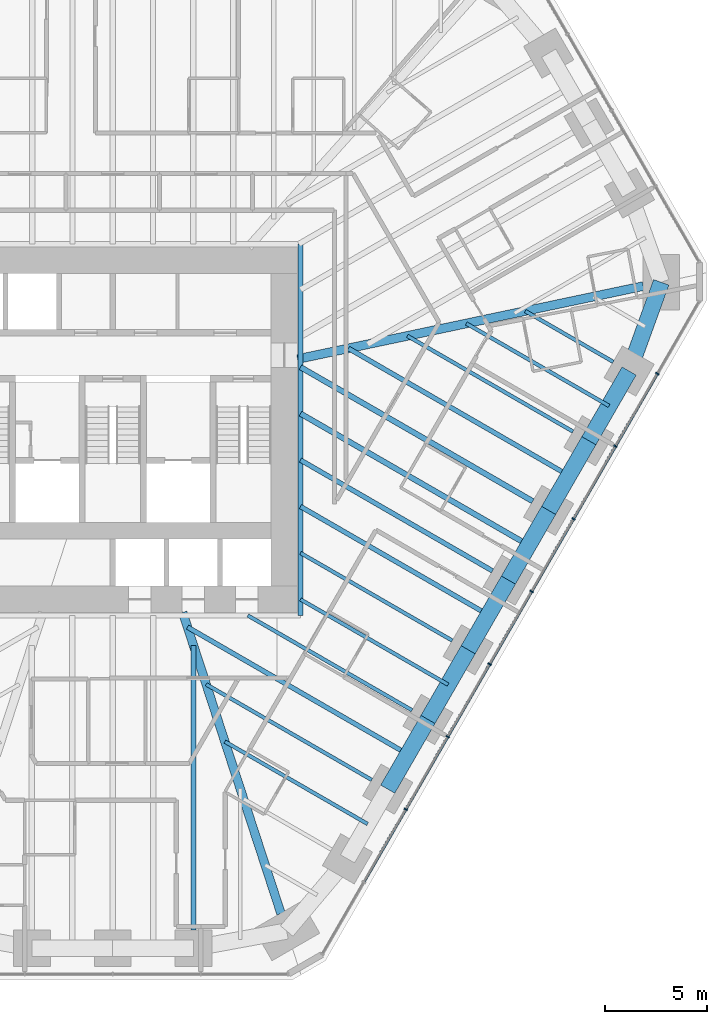
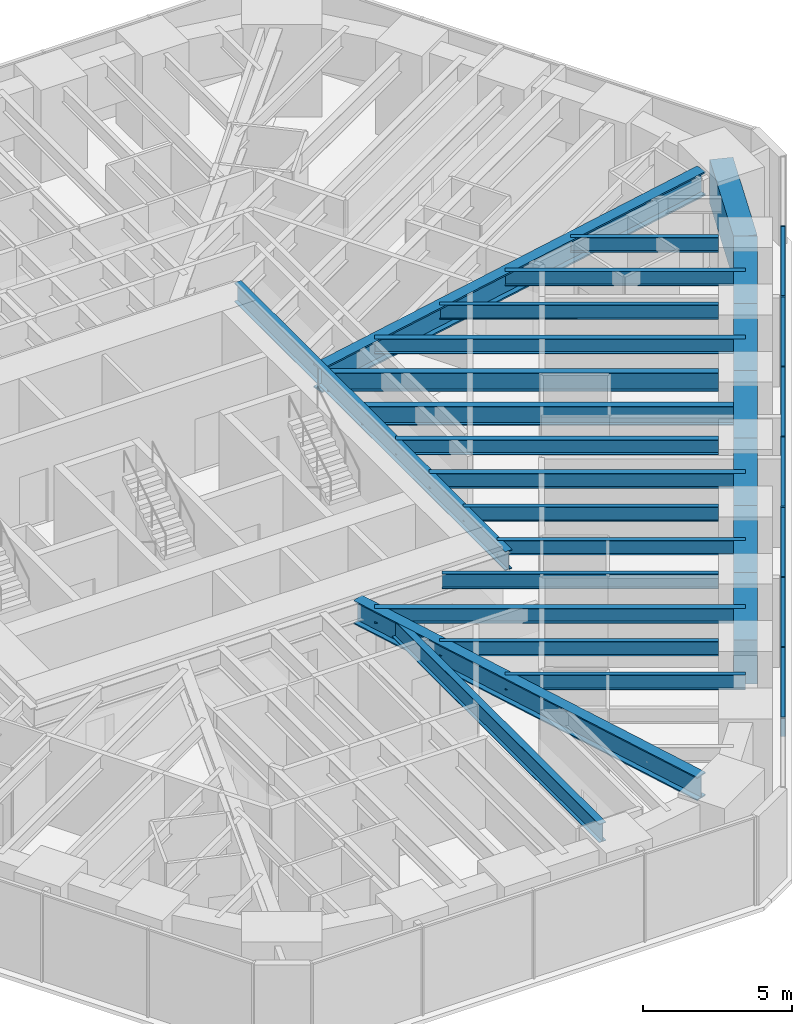
# One storey, part 5 of 17: 25 beams, 14 members, 1 element without a shape of its own.
"""IFC4 building model written with IfcOpenShell, lengths in metres."""

from ifc_helpers import new_model, si_unit, direction, frame, origin, origin_2d, place, context, subcontext, project, spatial, rectangle, i_section, extrude, material, material_profile, profile_set, type_object, element, aggregate, save


model = new_model("IFC4")

# Units and contexts
model_context = context("Model", 3, precision=1e-05, world=origin(), true_north=direction((0.0, 1.0)))
body_context = subcontext(model_context, "Body", "Model", "MODEL_VIEW")
ifc_project = project(units=[si_unit("LENGTHUNIT", "METRE"), si_unit("AREAUNIT", "SQUARE_METRE"), si_unit("VOLUMEUNIT", "CUBIC_METRE"), si_unit("PLANEANGLEUNIT", "RADIAN"), si_unit("MASSUNIT", "GRAM", prefix="KILO")], contexts=[model_context])

# Site, building, storey
site_placement = place(None, origin())
site = spatial("IfcSite", under=ifc_project, at=site_placement, CompositionType="ELEMENT")
building_placement = place(site_placement, origin())
building = spatial("IfcBuilding", under=site, at=building_placement, Name="Sandreach Pilgrim Tower", CompositionType="ELEMENT")
storey_placement = place(building_placement, frame((0.0, 0.0, 127.199951171875)))
storey = spatial("IfcBuildingStorey", under=building, at=storey_placement, Name="L31", CompositionType="ELEMENT", Elevation=127.199951171875)

# Curtain wall, members
ifc_material_1 = material(Name="Aluminium framed curtain wall", Category="aluminium")
curtain_wall_type = type_object("IfcCurtainWallType", Name="Hotel tower curtain wall", PredefinedType="NOTDEFINED", material=ifc_material_1)
curtain_wall_placement = place(storey_placement, origin())
curtain_wall = element("IfcCurtainWall", 1, at=curtain_wall_placement, inside=storey, type_object=curtain_wall_type, Name="CW-2 L31 SE", PredefinedType="NOTDEFINED")
ifc_material_2 = material(Name="Aluminium extrusion", Category="aluminium")
ifc_material_profile_1 = material_profile(ifc_material_2, rectangle(XDim=0.06494140625, YDim=0.179931640625, at=origin_2d()), Name="CW-2M 65X180")
ifc_profile_set_1 = profile_set([ifc_material_profile_1], Name="Aluminium extrusion")
member_type_1 = type_object("IfcMemberType", Name="CW-2 mullion", PredefinedType="MULLION", material=ifc_profile_set_1)
member_1_placement = place(storey_placement, frame((26.66748046875, 1.20166015625, 0.0), z_axis=(0.0, 0.0, 1.0), x_axis=(-0.5, -0.866025403784, 0.0)))
member_1 = element("IfcMember", 2, at=member_1_placement, type_object=member_type_1, Name="CW-2 mullion 2", PredefinedType="MULLION", context=body_context, shape_type="SweptSolid", body=[
    extrude(rectangle(XDim=0.06494140625, YDim=0.179931640625, at=origin_2d()), origin(), (0.0, 0.0, 1.0), 3.64013671875),
])
member_2_placement = place(storey_placement, frame((24.614013671875, -2.35498046875, 0.0), z_axis=(0.0, 0.0, 1.0), x_axis=(-0.5, -0.866025403784, 0.0)))
member_2 = element("IfcMember", 3, at=member_2_placement, type_object=member_type_1, Name="CW-2 mullion 3", PredefinedType="MULLION", context=body_context, shape_type="SweptSolid", body=[
    extrude(rectangle(XDim=0.06494140625, YDim=0.179931640625, at=origin_2d()), origin(), (0.0, 0.0, 1.0), 3.64013671875),
])
member_3_placement = place(storey_placement, frame((22.560302734375, -5.911865234375, 0.0), z_axis=(0.0, 0.0, 1.0), x_axis=(-0.5, -0.866025403784, 0.0)))
member_3 = element("IfcMember", 4, at=member_3_placement, type_object=member_type_1, Name="CW-2 mullion 4", PredefinedType="MULLION", context=body_context, shape_type="SweptSolid", body=[
    extrude(rectangle(XDim=0.06494140625, YDim=0.179931640625, at=origin_2d()), origin(), (0.0, 0.0, 1.0), 3.64013671875),
])
member_4_placement = place(storey_placement, frame((20.5068359375, -9.468505859375, 0.0), z_axis=(0.0, 0.0, 1.0), x_axis=(-0.5, -0.866025403784, 0.0)))
member_4 = element("IfcMember", 5, at=member_4_placement, type_object=member_type_1, Name="CW-2 mullion 5", PredefinedType="MULLION", context=body_context, shape_type="SweptSolid", body=[
    extrude(rectangle(XDim=0.06494140625, YDim=0.179931640625, at=origin_2d()), origin(), (0.0, 0.0, 1.0), 3.64013671875),
])
member_5_placement = place(storey_placement, frame((18.453369140625, -13.025146484375, 0.0), z_axis=(0.0, 0.0, 1.0), x_axis=(-0.5, -0.866025403784, 0.0)))
member_5 = element("IfcMember", 6, at=member_5_placement, type_object=member_type_1, Name="CW-2 mullion 6", PredefinedType="MULLION", context=body_context, shape_type="SweptSolid", body=[
    extrude(rectangle(XDim=0.06494140625, YDim=0.179931640625, at=origin_2d()), origin(), (0.0, 0.0, 1.0), 3.64013671875),
])
member_6_placement = place(storey_placement, frame((16.39990234375, -16.58203125, 0.0), z_axis=(0.0, 0.0, 1.0), x_axis=(-0.5, -0.866025403784, 0.0)))
member_6 = element("IfcMember", 7, at=member_6_placement, type_object=member_type_1, Name="CW-2 mullion 7", PredefinedType="MULLION", context=body_context, shape_type="SweptSolid", body=[
    extrude(rectangle(XDim=0.06494140625, YDim=0.179931640625, at=origin_2d()), origin(), (0.0, 0.0, 1.0), 3.64013671875),
])
member_7_placement = place(storey_placement, frame((14.346435546875, -20.138671875, 0.0), z_axis=(0.0, 0.0, 1.0), x_axis=(-0.5, -0.866025403784, 0.0)))
member_7 = element("IfcMember", 8, at=member_7_placement, type_object=member_type_1, Name="CW-2 mullion 8", PredefinedType="MULLION", context=body_context, shape_type="SweptSolid", body=[
    extrude(rectangle(XDim=0.06494140625, YDim=0.179931640625, at=origin_2d()), origin(), (0.0, 0.0, 1.0), 3.64013671875),
])
ifc_material_3 = material(Name="Aluminium extrusion", Category="aluminium")
ifc_material_profile_2 = material_profile(ifc_material_3, rectangle(XDim=0.139892578125, YDim=0.070068359375, at=origin_2d()), Name="CW-2T 140X70")
ifc_profile_set_2 = profile_set([ifc_material_profile_2], Name="Aluminium extrusion")
member_type_2 = type_object("IfcMemberType", Name="CW-2 transom", PredefinedType="USERDEFINED", material=ifc_profile_set_2)
member_8_placement = place(storey_placement, frame((26.651123046875, 1.173583984375, 3.60498046875), z_axis=(-0.499997818338, -0.866026663364, 0.0), x_axis=(0.866026663364, -0.499997818338, 0.0)))
member_8 = element("IfcMember", 9, at=member_8_placement, type_object=member_type_2, Name="CW-2 head transom 2", ObjectType="TRANSOM", PredefinedType="USERDEFINED", context=body_context, shape_type="SweptSolid", body=[
    extrude(rectangle(XDim=0.139892578125, YDim=0.070068359375, at=origin_2d()), origin(), (0.0, 0.0, 1.0), 4.0419921875),
])
member_9_placement = place(storey_placement, frame((24.59765625, -2.38330078125, 3.60498046875), z_axis=(-0.500023973715, -0.866011562111, 0.0), x_axis=(0.866011562111, -0.500023973715, 0.0)))
member_9 = element("IfcMember", 10, at=member_9_placement, type_object=member_type_2, Name="CW-2 head transom 3", ObjectType="TRANSOM", PredefinedType="USERDEFINED", context=body_context, shape_type="SweptSolid", body=[
    extrude(rectangle(XDim=0.139892578125, YDim=0.070068359375, at=origin_2d()), origin(), (0.0, 0.0, 1.0), 4.041748046875),
])
member_10_placement = place(storey_placement, frame((22.544189453125, -5.93994140625, 3.60498046875), z_axis=(-0.499997818338, -0.866026663364, 0.0), x_axis=(0.866026663364, -0.499997818338, 0.0)))
member_10 = element("IfcMember", 11, at=member_10_placement, type_object=member_type_2, Name="CW-2 head transom 4", ObjectType="TRANSOM", PredefinedType="USERDEFINED", context=body_context, shape_type="SweptSolid", body=[
    extrude(rectangle(XDim=0.139892578125, YDim=0.070068359375, at=origin_2d()), origin(), (0.0, 0.0, 1.0), 4.0419921875),
])
member_11_placement = place(storey_placement, frame((20.49072265625, -9.49658203125, 3.60498046875), z_axis=(-0.499997818338, -0.866026663364, 0.0), x_axis=(0.866026663364, -0.499997818338, 0.0)))
member_11 = element("IfcMember", 12, at=member_11_placement, type_object=member_type_2, Name="CW-2 head transom 5", ObjectType="TRANSOM", PredefinedType="USERDEFINED", context=body_context, shape_type="SweptSolid", body=[
    extrude(rectangle(XDim=0.139892578125, YDim=0.070068359375, at=origin_2d()), origin(), (0.0, 0.0, 1.0), 4.0419921875),
])
member_12_placement = place(storey_placement, frame((18.437255859375, -13.053466796875, 3.60498046875), z_axis=(-0.499997818338, -0.866026663364, 0.0), x_axis=(0.866026663364, -0.499997818338, 0.0)))
member_12 = element("IfcMember", 13, at=member_12_placement, type_object=member_type_2, Name="CW-2 head transom 6", ObjectType="TRANSOM", PredefinedType="USERDEFINED", context=body_context, shape_type="SweptSolid", body=[
    extrude(rectangle(XDim=0.139892578125, YDim=0.070068359375, at=origin_2d()), origin(), (0.0, 0.0, 1.0), 4.0419921875),
])
member_13_placement = place(storey_placement, frame((16.3837890625, -16.610107421875, 3.60498046875), z_axis=(-0.499997818338, -0.866026663364, 0.0), x_axis=(0.866026663364, -0.499997818338, 0.0)))
member_13 = element("IfcMember", 14, at=member_13_placement, type_object=member_type_2, Name="CW-2 head transom 7", ObjectType="TRANSOM", PredefinedType="USERDEFINED", context=body_context, shape_type="SweptSolid", body=[
    extrude(rectangle(XDim=0.139892578125, YDim=0.070068359375, at=origin_2d()), origin(), (0.0, 0.0, 1.0), 4.0419921875),
])
member_14_placement = place(storey_placement, frame((14.330322265625, -20.1669921875, 3.60498046875), z_axis=(-0.500023973715, -0.866011562111, 0.0), x_axis=(0.866011562111, -0.500023973715, 0.0)))
member_14 = element("IfcMember", 15, at=member_14_placement, type_object=member_type_2, Name="CW-2 head transom 8", ObjectType="TRANSOM", PredefinedType="USERDEFINED", context=body_context, shape_type="SweptSolid", body=[
    extrude(rectangle(XDim=0.139892578125, YDim=0.070068359375, at=origin_2d()), origin(), (0.0, 0.0, 1.0), 4.041748046875),
])
aggregate(curtain_wall, [member_1, member_2, member_3, member_4, member_5, member_6, member_7, member_8, member_9, member_10, member_11, member_12, member_13, member_14])

# Beams
ifc_material_4 = material(Name="Steel ASTM A992 Grade 50", Category="steel")
ifc_material_profile_3 = material_profile(ifc_material_4, i_section(OverallWidth=0.2666015625, OverallDepth=0.77978515625, WebThickness=0.0166015625, FlangeThickness=0.030029296875, at=origin_2d()), Name="W30X148")
ifc_profile_set_3 = profile_set([ifc_material_profile_3], Name="Steel ASTM A992 Grade 50")
beam_type_1 = type_object("IfcBeamType", Name="Core edge beam W30X148", PredefinedType="BEAM", material=ifc_profile_set_3)
beam_1_placement = place(storey_placement, frame((9.193359375, 7.54345703125, 3.250244140625), z_axis=(0.0, -1.0, 0.0), x_axis=(1.0, 0.0, 0.0)))
element("IfcBeam", 16, at=beam_1_placement, inside=storey, type_object=beam_type_1, Name="BM L31 CEE", PredefinedType="BEAM", context=body_context, shape_type="SweptSolid", body=[
    extrude(i_section(OverallWidth=0.2666015625, OverallDepth=0.77978515625, WebThickness=0.0166015625, FlangeThickness=0.030029296875, at=origin_2d()), origin(), (0.0, 0.0, 1.0), 18.186767578125),
])
ifc_material_5 = material(Name="Steel ASTM A992 Grade 50", Category="steel")
ifc_material_profile_4 = material_profile(ifc_material_5, i_section(OverallWidth=0.421630859375, OverallDepth=0.95751953125, WebThickness=0.02587890625, FlangeThickness=0.046875, at=origin_2d()), Name="W36X330")
ifc_profile_set_4 = profile_set([ifc_material_profile_4], Name="Steel ASTM A992 Grade 50")
beam_type_2 = type_object("IfcBeamType", Name="Corner girder W36X330", PredefinedType="BEAM", material=ifc_profile_set_4)
beam_2_placement = place(storey_placement, frame((8.238525390625, -25.23876953125, 3.161376953125), z_axis=(-0.310307109519, 0.950636364643, 0.0), x_axis=(-0.950636364643, -0.310307109519, 0.0)))
element("IfcBeam", 17, at=beam_2_placement, inside=storey, type_object=beam_type_2, Name="BM L31 CG22", PredefinedType="BEAM", context=body_context, shape_type="SweptSolid", body=[
    extrude(i_section(OverallWidth=0.421630859375, OverallDepth=0.95751953125, WebThickness=0.02587890625, FlangeThickness=0.046875, at=origin_2d()), origin(), (0.0, 0.0, 1.0), 15.504150390625),
])
ifc_material_6 = material(Name="Steel ASTM A992 Grade 50", Category="steel")
ifc_material_profile_5 = material_profile(ifc_material_6, i_section(OverallWidth=0.431884765625, OverallDepth=0.988037109375, WebThickness=0.034423828125, FlangeThickness=0.06201171875, at=origin_2d()), Name="W36X441")
ifc_profile_set_5 = profile_set([ifc_material_profile_5], Name="Steel ASTM A992 Grade 50")
beam_type_3 = type_object("IfcBeamType", Name="Corner girder W36X441", PredefinedType="BEAM", material=ifc_profile_set_5)
beam_3_placement = place(storey_placement, frame((25.976806640625, 5.484619140625, 3.14599609375), z_axis=(-0.978427882284, -0.206588671447, 0.0), x_axis=(0.206588671447, -0.978427882284, 0.0)))
element("IfcBeam", 18, at=beam_3_placement, inside=storey, type_object=beam_type_3, Name="BM L31 CG13", PredefinedType="BEAM", context=body_context, shape_type="SweptSolid", body=[
    extrude(i_section(OverallWidth=0.431884765625, OverallDepth=0.988037109375, WebThickness=0.034423828125, FlangeThickness=0.06201171875, at=origin_2d()), origin(), (0.0, 0.0, 1.0), 17.300048828125),
])
ifc_material_7 = material(Name="Steel ASTM A992 Grade 50", Category="steel")
ifc_material_profile_6 = material_profile(ifc_material_7, i_section(OverallWidth=0.1787109375, OverallDepth=0.60205078125, WebThickness=0.010986328125, FlangeThickness=0.014892578125, at=origin_2d()), Name="W24X62")
ifc_profile_set_6 = profile_set([ifc_material_profile_6], Name="Steel ASTM A992 Grade 50")
beam_type_4 = type_object("IfcBeamType", Name="Floor beam W24X62", PredefinedType="BEAM", material=ifc_profile_set_6)
beam_4_placement = place(storey_placement, frame((24.50439453125, 1.775390625, 3.339111328125), z_axis=(-0.866024645457, 0.500001313459, 0.0), x_axis=(-0.500001313459, -0.866024645457, 0.0)))
element("IfcBeam", 19, at=beam_4_placement, inside=storey, type_object=beam_type_4, Name="BM L31 F14", PredefinedType="BEAM", context=body_context, shape_type="SweptSolid", body=[
    extrude(i_section(OverallWidth=0.1787109375, OverallDepth=0.60205078125, WebThickness=0.010986328125, FlangeThickness=0.014892578125, at=origin_2d()), origin(), (0.0, 0.0, 1.0), 4.9765625),
])
beam_5_placement = place(storey_placement, frame((22.534423828125, -1.63671875, 3.339111328125), z_axis=(-0.866012351917, 0.500022605817, 0.0), x_axis=(-0.500022605817, -0.866012351917, 0.0)))
element("IfcBeam", 20, at=beam_5_placement, inside=storey, type_object=beam_type_4, Name="BM L31 F15", PredefinedType="BEAM", context=body_context, shape_type="SweptSolid", body=[
    extrude(i_section(OverallWidth=0.1787109375, OverallDepth=0.60205078125, WebThickness=0.010986328125, FlangeThickness=0.014892578125, at=origin_2d()), origin(), (0.0, 0.0, 1.0), 9.3642578125),
])
beam_6_placement = place(storey_placement, frame((16.62451171875, -11.873046875, 3.339111328125), z_axis=(-0.866017857595, 0.500013070155, 0.0), x_axis=(-0.500013070155, -0.866017857595, 0.0)))
element("IfcBeam", 21, at=beam_6_placement, inside=storey, type_object=beam_type_4, Name="BM L31 F18", PredefinedType="BEAM", context=body_context, shape_type="SweptSolid", body=[
    extrude(i_section(OverallWidth=0.1787109375, OverallDepth=0.60205078125, WebThickness=0.010986328125, FlangeThickness=0.014892578125, at=origin_2d()), origin(), (0.0, 0.0, 1.0), 8.580810546875),
])
beam_7_placement = place(storey_placement, frame((14.654541015625, -15.28515625, 3.339111328125), z_axis=(-0.866015659929, 0.500016876472, 0.0), x_axis=(-0.500016876472, -0.866015659929, 0.0)))
element("IfcBeam", 22, at=beam_7_placement, inside=storey, type_object=beam_type_4, Name="BM L31 F19", PredefinedType="BEAM", context=body_context, shape_type="SweptSolid", body=[
    extrude(i_section(OverallWidth=0.1787109375, OverallDepth=0.60205078125, WebThickness=0.010986328125, FlangeThickness=0.014892578125, at=origin_2d()), origin(), (0.0, 0.0, 1.0), 9.283447265625),
])
beam_8_placement = place(storey_placement, frame((12.6845703125, -18.697265625, 3.339111328125), z_axis=(-0.866012351917, 0.500022605817, 0.0), x_axis=(-0.500022605817, -0.866012351917, 0.0)))
element("IfcBeam", 23, at=beam_8_placement, inside=storey, type_object=beam_type_4, Name="BM L31 F20", PredefinedType="BEAM", context=body_context, shape_type="SweptSolid", body=[
    extrude(i_section(OverallWidth=0.1787109375, OverallDepth=0.60205078125, WebThickness=0.010986328125, FlangeThickness=0.014892578125, at=origin_2d()), origin(), (0.0, 0.0, 1.0), 9.3642578125),
])
beam_9_placement = place(storey_placement, frame((24.298828125, -0.380615234375, 3.339111328125), z_axis=(-0.866022864518, 0.500004398112, 0.0), x_axis=(-0.500004398112, -0.866022864518, 0.0)))
element("IfcBeam", 24, at=beam_9_placement, inside=storey, type_object=beam_type_4, Name="BM L31 FM14", PredefinedType="BEAM", context=body_context, shape_type="SweptSolid", body=[
    extrude(i_section(OverallWidth=0.1787109375, OverallDepth=0.60205078125, WebThickness=0.010986328125, FlangeThickness=0.014892578125, at=origin_2d()), origin(), (0.0, 0.0, 1.0), 8.0703125),
])
beam_10_placement = place(storey_placement, frame((16.4189453125, -14.029052734375, 3.339111328125), z_axis=(-0.866016009309, 0.500016271356, 0.0), x_axis=(-0.500016271356, -0.866016009309, 0.0)))
element("IfcBeam", 25, at=beam_10_placement, inside=storey, type_object=beam_type_4, Name="BM L31 FM18", PredefinedType="BEAM", context=body_context, shape_type="SweptSolid", body=[
    extrude(i_section(OverallWidth=0.1787109375, OverallDepth=0.60205078125, WebThickness=0.010986328125, FlangeThickness=0.014892578125, at=origin_2d()), origin(), (0.0, 0.0, 1.0), 8.343505859375),
])
beam_11_placement = place(storey_placement, frame((12.47900390625, -20.853271484375, 3.339111328125), z_axis=(-0.866017328257, 0.500013986963, 0.0), x_axis=(-0.500013986963, -0.866017328257, 0.0)))
element("IfcBeam", 26, at=beam_11_placement, inside=storey, type_object=beam_type_4, Name="BM L31 FM20", PredefinedType="BEAM", context=body_context, shape_type="SweptSolid", body=[
    extrude(i_section(OverallWidth=0.1787109375, OverallDepth=0.60205078125, WebThickness=0.010986328125, FlangeThickness=0.014892578125, at=origin_2d()), origin(), (0.0, 0.0, 1.0), 8.070556640625),
])
ifc_material_8 = material(Name="Steel ASTM A992 Grade 50", Category="steel")
ifc_material_profile_7 = material_profile(ifc_material_8, i_section(OverallWidth=0.23046875, OverallDepth=0.6171875, WebThickness=0.01318359375, FlangeThickness=0.022216796875, at=origin_2d()), Name="W24X94")
ifc_profile_set_7 = profile_set([ifc_material_profile_7], Name="Steel ASTM A992 Grade 50")
beam_type_5 = type_object("IfcBeamType", Name="Floor beam W24X94", PredefinedType="BEAM", material=ifc_profile_set_7)
beam_12_placement = place(storey_placement, frame((18.594482421875, -8.4609375, 3.33154296875), z_axis=(-0.866015926388, 0.500016414973, 0.0), x_axis=(-0.500016414973, -0.866015926388, 0.0)))
element("IfcBeam", 27, at=beam_12_placement, inside=storey, type_object=beam_type_5, Name="BM L31 F17", PredefinedType="BEAM", context=body_context, shape_type="SweptSolid", body=[
    extrude(i_section(OverallWidth=0.23046875, OverallDepth=0.6171875, WebThickness=0.01318359375, FlangeThickness=0.022216796875, at=origin_2d()), origin(), (0.0, 0.0, 1.0), 10.855712890625),
])
beam_13_placement = place(storey_placement, frame((22.328857421875, -3.792724609375, 3.33154296875), z_axis=(-0.866019150617, 0.500010830648, 0.0), x_axis=(-0.500010830648, -0.866019150617, 0.0)))
element("IfcBeam", 28, at=beam_13_placement, inside=storey, type_object=beam_type_5, Name="BM L31 FM15", PredefinedType="BEAM", context=body_context, shape_type="SweptSolid", body=[
    extrude(i_section(OverallWidth=0.23046875, OverallDepth=0.6171875, WebThickness=0.01318359375, FlangeThickness=0.022216796875, at=origin_2d()), origin(), (0.0, 0.0, 1.0), 12.458251953125),
])
beam_14_placement = place(storey_placement, frame((18.388916015625, -10.616943359375, 3.33154296875), z_axis=(-0.866024387147, 0.500001760863, 0.0), x_axis=(-0.500001760863, -0.866024387147, 0.0)))
element("IfcBeam", 29, at=beam_14_placement, inside=storey, type_object=beam_type_5, Name="BM L31 FM17", PredefinedType="BEAM", context=body_context, shape_type="SweptSolid", body=[
    extrude(i_section(OverallWidth=0.23046875, OverallDepth=0.6171875, WebThickness=0.01318359375, FlangeThickness=0.022216796875, at=origin_2d()), origin(), (0.0, 0.0, 1.0), 10.6181640625),
])
beam_15_placement = place(storey_placement, frame((14.448974609375, -17.441162109375, 3.33154296875), z_axis=(-0.866019150617, 0.500010830648, 0.0), x_axis=(-0.500010830648, -0.866019150617, 0.0)))
element("IfcBeam", 30, at=beam_15_placement, inside=storey, type_object=beam_type_5, Name="BM L31 FM19", PredefinedType="BEAM", context=body_context, shape_type="SweptSolid", body=[
    extrude(i_section(OverallWidth=0.23046875, OverallDepth=0.6171875, WebThickness=0.01318359375, FlangeThickness=0.022216796875, at=origin_2d()), origin(), (0.0, 0.0, 1.0), 12.458251953125),
])
ifc_material_9 = material(Name="Steel ASTM A992 Grade 50", Category="steel")
ifc_material_profile_8 = material_profile(ifc_material_9, i_section(OverallWidth=0.2666015625, OverallDepth=0.761962890625, WebThickness=0.014404296875, FlangeThickness=0.021484375, at=origin_2d()), Name="W30X116")
ifc_profile_set_8 = profile_set([ifc_material_profile_8], Name="Steel ASTM A992 Grade 50")
beam_type_6 = type_object("IfcBeamType", Name="Floor beam W30X116", PredefinedType="BEAM", material=ifc_profile_set_8)
beam_16_placement = place(storey_placement, frame((20.564453125, -5.048828125, 3.259033203125), z_axis=(-0.866022715736, 0.500004655807, 0.0), x_axis=(-0.500004655807, -0.866022715736, 0.0)))
element("IfcBeam", 31, at=beam_16_placement, inside=storey, type_object=beam_type_6, Name="BM L31 F16", PredefinedType="BEAM", context=body_context, shape_type="SweptSolid", body=[
    extrude(i_section(OverallWidth=0.2666015625, OverallDepth=0.761962890625, WebThickness=0.014404296875, FlangeThickness=0.021484375, at=origin_2d()), origin(), (0.0, 0.0, 1.0), 13.130126953125),
])
beam_17_placement = place(storey_placement, frame((3.955322265625, -26.0322265625, 3.259033203125), z_axis=(0.0, 1.0, 0.0), x_axis=(-1.0, 0.0, 0.0)))
element("IfcBeam", 32, at=beam_17_placement, inside=storey, type_object=beam_type_6, Name="BM L31 F23", PredefinedType="BEAM", context=body_context, shape_type="SweptSolid", body=[
    extrude(i_section(OverallWidth=0.2666015625, OverallDepth=0.761962890625, WebThickness=0.014404296875, FlangeThickness=0.021484375, at=origin_2d()), origin(), (0.0, 0.0, 1.0), 13.91552734375),
])
beam_18_placement = place(storey_placement, frame((20.35888671875, -7.204833984375, 3.259033203125), z_axis=(-0.866021609098, 0.500006572533, 0.0), x_axis=(-0.500006572533, -0.866021609098, 0.0)))
element("IfcBeam", 33, at=beam_18_placement, inside=storey, type_object=beam_type_6, Name="BM L31 FM16", PredefinedType="BEAM", context=body_context, shape_type="SweptSolid", body=[
    extrude(i_section(OverallWidth=0.2666015625, OverallDepth=0.761962890625, WebThickness=0.014404296875, FlangeThickness=0.021484375, at=origin_2d()), origin(), (0.0, 0.0, 1.0), 12.892822265625),
])
ifc_material_10 = material(Name="Concrete 10000 psi", Category="concrete")
ifc_material_profile_9 = material_profile(ifc_material_10, rectangle(XDim=0.800048828125, YDim=1.800048828125, at=origin_2d()), Name="RC800X1800")
ifc_profile_set_9 = profile_set([ifc_material_profile_9], Name="Concrete 10000 psi")
beam_type_7 = type_object("IfcBeamType", Name="Spandrel beam RC800X1800", PredefinedType="SPANDREL", material=ifc_profile_set_9)
beam_19_placement = place(storey_placement, frame((26.857177734375, 5.67041015625, 2.739990234375), z_axis=(-0.340453163563, -0.940261476091, 0.0), x_axis=(0.940261476091, -0.340453163563, 0.0)))
element("IfcBeam", 34, at=beam_19_placement, inside=storey, type_object=beam_type_7, Name="BM L31 SP13", PredefinedType="SPANDREL", context=body_context, shape_type="SweptSolid", body=[
    extrude(rectangle(XDim=0.800048828125, YDim=1.800048828125, at=origin_2d()), origin(), (0.0, 0.0, 1.0), 4.62109375),
])
for number, where, z_axis, x_axis, name in (
    (35, (25.283935546875, 1.325439453125, 2.739990234375), (-0.49999779889, -0.866026674592, 0.0), (0.866026674592, -0.49999779889, 0.0), "BM L31 SP14"),
    (36, (23.31396484375, -2.086669921875, 2.739990234375), (-0.49999779889, -0.866026674592, 0.0), (0.866026674592, -0.49999779889, 0.0), "BM L31 SP15"),
    (37, (21.343994140625, -5.498779296875, 2.739990234375), (-0.49999779889, -0.866026674592, 0.0), (0.866026674592, -0.49999779889, 0.0), "BM L31 SP16"),
    (38, (19.3740234375, -8.910888671875, 2.739990234375), (-0.49999779889, -0.866026674592, 0.0), (0.866026674592, -0.49999779889, 0.0), "BM L31 SP17"),
    (39, (17.404052734375, -12.322998046875, 2.739990234375), (-0.49999779889, -0.866026674592, 0.0), (0.866026674592, -0.49999779889, 0.0), "BM L31 SP18"),
    (40, (15.43408203125, -15.735107421875, 2.739990234375), (-0.49999779889, -0.866026674592, 0.0), (0.866026674592, -0.49999779889, 0.0), "BM L31 SP19"),
):
    element("IfcBeam", number, at=place(storey_placement, frame(where, z_axis=z_axis, x_axis=x_axis)), inside=storey, type_object=beam_type_7, Name=name, PredefinedType="SPANDREL", context=body_context, shape_type="SweptSolid", body=[
        extrude(rectangle(XDim=0.800048828125, YDim=1.800048828125, at=origin_2d()), origin(), (0.0, 0.0, 1.0), 3.93994140625),
    ])

save(model, "model.ifc")
